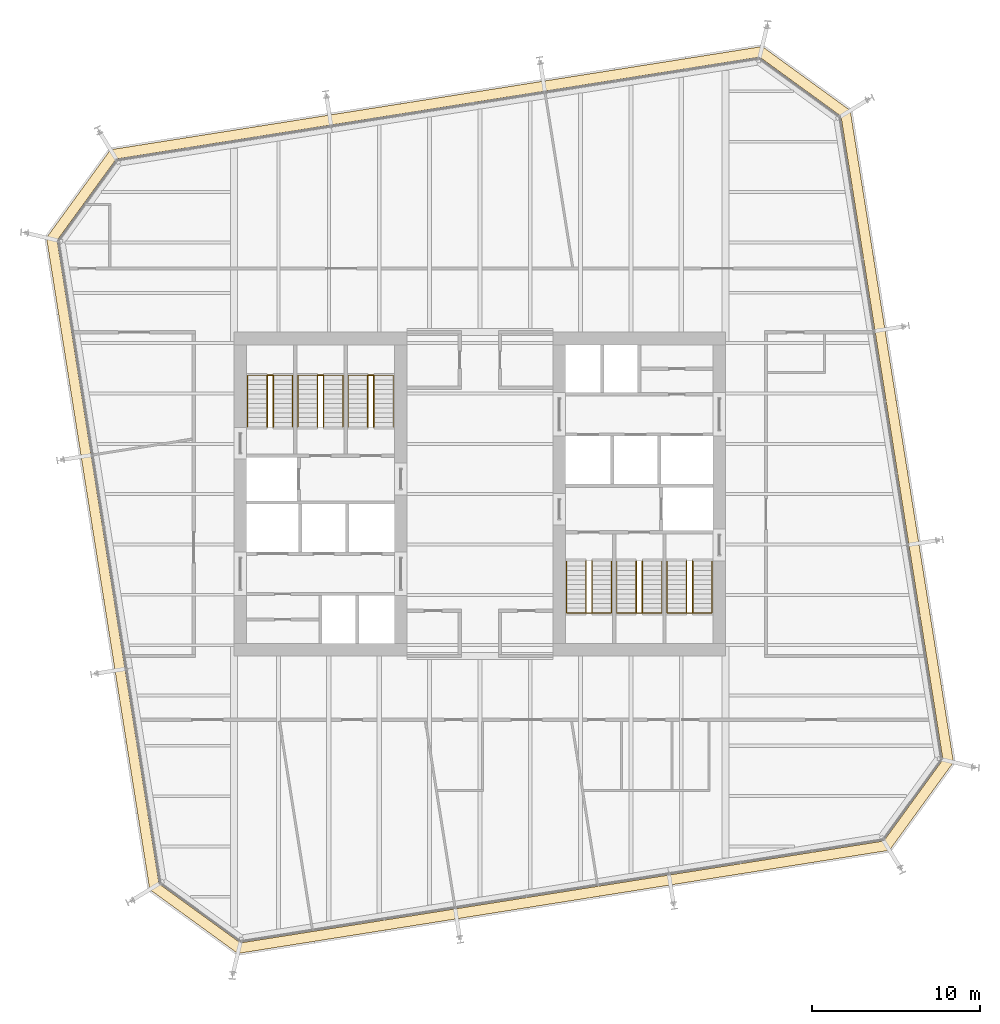
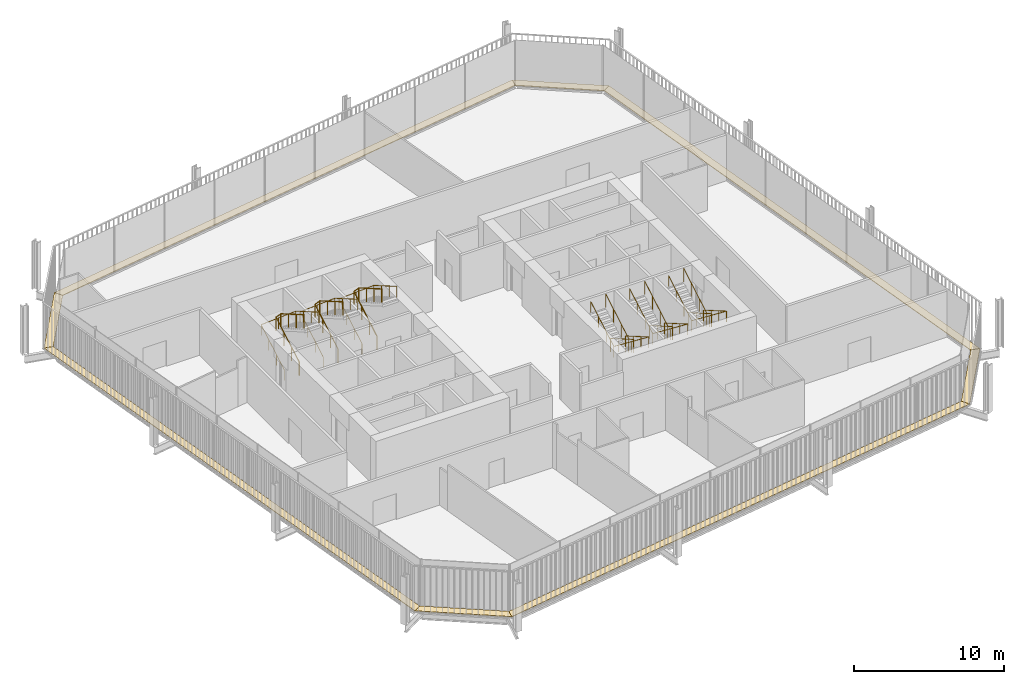
# One storey, part 21 of 21: 12 railings, 8 coverings.
"""IFC4 building model written with IfcOpenShell, lengths in metres."""

from ifc_helpers import new_model, si_unit, direction, frame, origin, origin_2d, place, context, subcontext, project, spatial, polyline, circle, outline, extrude, material, layer, layer_set, type_object, element, save


model = new_model("IFC4")

# Units and contexts
model_context = context("Model", 3, precision=1e-05, world=origin(), true_north=direction((0.0, 1.0)))
body_context = subcontext(model_context, "Body", "Model", "MODEL_VIEW")
ifc_project = project(units=[si_unit("LENGTHUNIT", "METRE"), si_unit("AREAUNIT", "SQUARE_METRE"), si_unit("VOLUMEUNIT", "CUBIC_METRE"), si_unit("PLANEANGLEUNIT", "RADIAN"), si_unit("MASSUNIT", "GRAM", prefix="KILO")], contexts=[model_context])

# Site, building, storey
site_placement = place(None, origin())
site = spatial("IfcSite", under=ifc_project, at=site_placement, CompositionType="ELEMENT")
building_placement = place(site_placement, origin())
building = spatial("IfcBuilding", under=site, at=building_placement, Name="Millrace Tower", CompositionType="ELEMENT")
storey_placement = place(building_placement, frame((0.0, 0.0, 149.0)))
storey = spatial("IfcBuildingStorey", under=building, at=storey_placement, Name="L33", CompositionType="ELEMENT", Elevation=149.0)

# Coverings
ifc_material_1 = material(Name="Steel ASTM A36", Category="steel")
ifc_layer = layer(ifc_material_1, 0.050048828125)
ifc_layer_set = layer_set([ifc_layer], Name="Steel ASTM A36")
covering_type = type_object("IfcCoveringType", Name="CAVITY CATWALK steel grating", PredefinedType="FLOORING", material=ifc_layer_set)
placement = place(storey_placement, frame((0.0, 0.0, 0.10009765625)))
element("IfcCovering", 1, at=placement, inside=storey, type_object=covering_type, Name="Cavity catwalk grating C-F01 L33 1", PredefinedType="FLOORING", context=body_context, shape_type="SweptSolid", body=[
    extrude(outline(polyline([(-19.67578125, -23.562255859375), (-14.425048828125, -27.376953125), (-14.2734375, -26.74560546875), (-19.1220703125, -23.222900390625), (-19.67578125, -23.562255859375)])), origin(), (0.0, 0.0, 1.0), 0.0498046875),
])
element("IfcCovering", 2, at=placement, inside=storey, type_object=covering_type, Name="Cavity catwalk grating C-F02 L33 1", PredefinedType="FLOORING", context=body_context, shape_type="SweptSolid", body=[
    extrude(outline(polyline([(-14.425048828125, -27.376953125), (24.412109375, -21.225830078125), (24.07275390625, -20.672119140625), (-14.2734375, -26.74560546875), (-14.425048828125, -27.376953125)])), origin(), (0.0, 0.0, 1.0), 0.0498046875),
])
element("IfcCovering", 3, at=placement, inside=storey, type_object=covering_type, Name="Cavity catwalk grating C-F03 L33 1", PredefinedType="FLOORING", context=body_context, shape_type="SweptSolid", body=[
    extrude(outline(polyline([(24.412109375, -21.225830078125), (28.22705078125, -15.97509765625), (27.595458984375, -15.823486328125), (24.07275390625, -20.672119140625), (24.412109375, -21.225830078125)])), origin(), (0.0, 0.0, 1.0), 0.0498046875),
])
element("IfcCovering", 4, at=placement, inside=storey, type_object=covering_type, Name="Cavity catwalk grating C-F04 L33 1", PredefinedType="FLOORING", context=body_context, shape_type="SweptSolid", body=[
    extrude(outline(polyline([(28.22705078125, -15.97509765625), (22.075927734375, 22.862060546875), (21.522216796875, 22.522705078125), (27.595458984375, -15.823486328125), (28.22705078125, -15.97509765625)])), origin(), (0.0, 0.0, 1.0), 0.0498046875),
])
element("IfcCovering", 5, at=placement, inside=storey, type_object=covering_type, Name="Cavity catwalk grating C-F05 L33 1", PredefinedType="FLOORING", context=body_context, shape_type="SweptSolid", body=[
    extrude(outline(polyline([(22.075927734375, 22.862060546875), (16.824951171875, 26.677001953125), (16.67333984375, 26.045654296875), (21.522216796875, 22.522705078125), (22.075927734375, 22.862060546875)])), origin(), (0.0, 0.0, 1.0), 0.0498046875),
])
element("IfcCovering", 6, at=placement, inside=storey, type_object=covering_type, Name="Cavity catwalk grating C-F06 L33 1", PredefinedType="FLOORING", context=body_context, shape_type="SweptSolid", body=[
    extrude(outline(polyline([(16.824951171875, 26.677001953125), (-22.01220703125, 20.52587890625), (-21.6728515625, 19.97216796875), (16.67333984375, 26.045654296875), (16.824951171875, 26.677001953125)])), origin(), (0.0, 0.0, 1.0), 0.0498046875),
])
element("IfcCovering", 7, at=placement, inside=storey, type_object=covering_type, Name="Cavity catwalk grating C-F07 L33 1", PredefinedType="FLOORING", context=body_context, shape_type="SweptSolid", body=[
    extrude(outline(polyline([(-22.01220703125, 20.52587890625), (-25.8271484375, 15.275146484375), (-25.195556640625, 15.12353515625), (-21.6728515625, 19.97216796875), (-22.01220703125, 20.52587890625)])), origin(), (0.0, 0.0, 1.0), 0.0498046875),
])
element("IfcCovering", 8, at=placement, inside=storey, type_object=covering_type, Name="Cavity catwalk grating C-F08 L33 1", PredefinedType="FLOORING", context=body_context, shape_type="SweptSolid", body=[
    extrude(outline(polyline([(-25.8271484375, 15.275146484375), (-19.67578125, -23.562255859375), (-19.1220703125, -23.222900390625), (-25.195556640625, 15.12353515625), (-25.8271484375, 15.275146484375)])), origin(), (0.0, 0.0, 1.0), 0.0498046875),
])

# Railings
ifc_material_2 = material(Name="Stainless steel ASTM A240 type 316", Category="steel")
railing_type_1 = type_object("IfcRailingType", Name="Stair guard 1100", PredefinedType="GUARDRAIL", material=ifc_material_2)
for number, where, name in (
    (9, (-12.679931640625, 4.0, 0.16259765625), "Stair guard 1 W L33"),
    (10, (-9.679931640625, 4.0, 0.16259765625), "Stair guard 2 W L33"),
    (11, (-6.679931640625, 4.0, 0.16259765625), "Stair guard 3 W L33"),
):
    element("IfcRailing", number, at=place(storey_placement, frame(where)), inside=storey, type_object=railing_type_1, Name=name, PredefinedType="GUARDRAIL", context=body_context, shape_type="SweptSolid", body=[
        extrude(circle(Radius=0.02392578125, at=origin_2d()), frame((0.0, 0.0, 1.076171875), z_axis=(0.0, 0.864920483161, 0.501908913857), x_axis=(-1.0, 0.0, 0.0)), (0.0, 0.0, 1.0), 3.56103515625),
        extrude(circle(Radius=0.02392578125, at=origin_2d()), frame((0.0, 3.080078125, 2.86328125), z_axis=(0.911295775139, 0.0, 0.411752365158), x_axis=(0.0, 1.0, 0.0)), (0.0, 0.0, 1.0), 0.394775390625),
        extrude(circle(Radius=0.02392578125, at=origin_2d()), frame((0.35986328125, 3.080078125, 3.02587890625), z_axis=(0.0, -0.864920483161, 0.501908913857), x_axis=(1.0, 0.0, 0.0)), (0.0, 0.0, 1.0), 3.56103515625),
        extrude(circle(Radius=0.02099609375, at=origin_2d()), origin(), (0.0, 0.0, 1.0), 1.052001953125),
        extrude(circle(Radius=0.02099609375, at=origin_2d()), frame((0.0, 1.026611328125, 0.595703125)), (0.0, 0.0, 1.0), 1.052001953125),
        extrude(circle(Radius=0.02099609375, at=origin_2d()), frame((0.0, 2.053466796875, 1.191650390625)), (0.0, 0.0, 1.0), 1.052001953125),
        extrude(circle(Radius=0.02099609375, at=origin_2d()), frame((0.0, 3.080078125, 1.787353515625)), (0.0, 0.0, 1.0), 1.052001953125),
        extrude(circle(Radius=0.02099609375, at=origin_2d()), frame((0.35986328125, 3.080078125, 1.949951171875)), (0.0, 0.0, 1.0), 1.052001953125),
        extrude(circle(Radius=0.02099609375, at=origin_2d()), frame((0.35986328125, 2.053466796875, 2.545654296875)), (0.0, 0.0, 1.0), 1.052001953125),
        extrude(circle(Radius=0.02099609375, at=origin_2d()), frame((0.35986328125, 1.026611328125, 3.1416015625)), (0.0, 0.0, 1.0), 1.052001953125),
        extrude(circle(Radius=0.02099609375, at=origin_2d()), frame((0.35986328125, 0.0, 3.7373046875)), (0.0, 0.0, 1.0), 1.052001953125),
    ])
for number, where, name in (
    (12, (12.679931640625, -4.0, 0.16259765625), "Stair guard 1 E L33"),
    (13, (9.679931640625, -4.0, 0.16259765625), "Stair guard 2 E L33"),
    (14, (6.679931640625, -4.0, 0.16259765625), "Stair guard 3 E L33"),
):
    element("IfcRailing", number, at=place(storey_placement, frame(where)), inside=storey, type_object=railing_type_1, Name=name, PredefinedType="GUARDRAIL", context=body_context, shape_type="SweptSolid", body=[
        extrude(circle(Radius=0.02392578125, at=origin_2d()), frame((0.0, 0.0, 1.076171875), z_axis=(0.0, -0.864920483161, 0.501908913857), x_axis=(1.0, 0.0, 0.0)), (0.0, 0.0, 1.0), 3.56103515625),
        extrude(circle(Radius=0.02392578125, at=origin_2d()), frame((0.0, -3.080078125, 2.86328125), z_axis=(-0.911295775139, 0.0, 0.411752365158), x_axis=(0.0, -1.0, 0.0)), (0.0, 0.0, 1.0), 0.394775390625),
        extrude(circle(Radius=0.02392578125, at=origin_2d()), frame((-0.35986328125, -3.080078125, 3.02587890625), z_axis=(0.0, 0.864920483161, 0.501908913857), x_axis=(-1.0, 0.0, 0.0)), (0.0, 0.0, 1.0), 3.56103515625),
        extrude(circle(Radius=0.02099609375, at=origin_2d()), origin(), (0.0, 0.0, 1.0), 1.052001953125),
        extrude(circle(Radius=0.02099609375, at=origin_2d()), frame((0.0, -1.026611328125, 0.595703125)), (0.0, 0.0, 1.0), 1.052001953125),
        extrude(circle(Radius=0.02099609375, at=origin_2d()), frame((0.0, -2.053466796875, 1.191650390625)), (0.0, 0.0, 1.0), 1.052001953125),
        extrude(circle(Radius=0.02099609375, at=origin_2d()), frame((0.0, -3.080078125, 1.787353515625)), (0.0, 0.0, 1.0), 1.052001953125),
        extrude(circle(Radius=0.02099609375, at=origin_2d()), frame((-0.35986328125, -3.080078125, 1.949951171875)), (0.0, 0.0, 1.0), 1.052001953125),
        extrude(circle(Radius=0.02099609375, at=origin_2d()), frame((-0.35986328125, -2.053466796875, 2.545654296875)), (0.0, 0.0, 1.0), 1.052001953125),
        extrude(circle(Radius=0.02099609375, at=origin_2d()), frame((-0.35986328125, -1.026611328125, 3.1416015625)), (0.0, 0.0, 1.0), 1.052001953125),
        extrude(circle(Radius=0.02099609375, at=origin_2d()), frame((-0.35986328125, 0.0, 3.7373046875)), (0.0, 0.0, 1.0), 1.052001953125),
    ])
ifc_material_3 = material(Name="Stainless steel ASTM A240 type 316", Category="steel")
railing_type_2 = type_object("IfcRailingType", Name="Stair handrail 900", PredefinedType="HANDRAIL", material=ifc_material_3)
railing_1_placement = place(storey_placement, frame((-13.840087890625, 4.0, 0.16259765625)))
element("IfcRailing", 15, at=railing_1_placement, inside=storey, type_object=railing_type_2, Name="Stair handrail 1 W L33", PredefinedType="HANDRAIL", context=body_context, shape_type="SweptSolid", body=[
    extrude(circle(Radius=0.02392578125, at=origin_2d()), frame((0.0, 0.0, 0.8759765625), z_axis=(0.0, 0.864920483161, 0.501908913857), x_axis=(-1.0, 0.0, 0.0)), (0.0, 0.0, 1.0), 3.56103515625),
    extrude(circle(Radius=0.02392578125, at=origin_2d()), frame((0.0, 3.080078125, 2.6630859375), z_axis=(0.998164834547, 0.0, 0.060555454528), x_axis=(0.0, 1.0, 0.0)), (0.0, 0.0, 1.0), 2.68505859375),
    extrude(circle(Radius=0.02392578125, at=origin_2d()), frame((2.68017578125, 3.080078125, 2.82568359375), z_axis=(0.0, -0.864920483161, 0.501908913857), x_axis=(1.0, 0.0, 0.0)), (0.0, 0.0, 1.0), 3.56103515625),
    extrude(circle(Radius=0.02099609375, at=origin_2d()), origin(), (0.0, 0.0, 1.0), 0.851806640625),
    extrude(circle(Radius=0.02099609375, at=origin_2d()), frame((0.0, 1.026611328125, 0.595703125)), (0.0, 0.0, 1.0), 0.851806640625),
    extrude(circle(Radius=0.02099609375, at=origin_2d()), frame((0.0, 2.053466796875, 1.191650390625)), (0.0, 0.0, 1.0), 0.851806640625),
    extrude(circle(Radius=0.02099609375, at=origin_2d()), frame((0.0, 3.080078125, 1.787353515625)), (0.0, 0.0, 1.0), 0.851806640625),
    extrude(circle(Radius=0.02099609375, at=origin_2d()), frame((1.340087890625, 3.080078125, 1.86865234375)), (0.0, 0.0, 1.0), 0.851806640625),
    extrude(circle(Radius=0.02099609375, at=origin_2d()), frame((2.68017578125, 3.080078125, 1.949951171875)), (0.0, 0.0, 1.0), 0.851806640625),
    extrude(circle(Radius=0.02099609375, at=origin_2d()), frame((2.68017578125, 2.053466796875, 2.545654296875)), (0.0, 0.0, 1.0), 0.851806640625),
    extrude(circle(Radius=0.02099609375, at=origin_2d()), frame((2.68017578125, 1.026611328125, 3.1416015625)), (0.0, 0.0, 1.0), 0.851806640625),
    extrude(circle(Radius=0.02099609375, at=origin_2d()), frame((2.68017578125, 0.0, 3.7373046875)), (0.0, 0.0, 1.0), 0.851806640625),
])
railing_2_placement = place(storey_placement, frame((-10.840087890625, 4.0, 0.16259765625)))
element("IfcRailing", 16, at=railing_2_placement, inside=storey, type_object=railing_type_2, Name="Stair handrail 2 W L33", PredefinedType="HANDRAIL", context=body_context, shape_type="SweptSolid", body=[
    extrude(circle(Radius=0.02392578125, at=origin_2d()), frame((0.0, 0.0, 0.8759765625), z_axis=(0.0, 0.864920483161, 0.501908913857), x_axis=(-1.0, 0.0, 0.0)), (0.0, 0.0, 1.0), 3.56103515625),
    extrude(circle(Radius=0.02392578125, at=origin_2d()), frame((0.0, 3.080078125, 2.6630859375), z_axis=(0.998164834547, 0.0, 0.060555454528), x_axis=(0.0, 1.0, 0.0)), (0.0, 0.0, 1.0), 2.68505859375),
    extrude(circle(Radius=0.02392578125, at=origin_2d()), frame((2.68017578125, 3.080078125, 2.82568359375), z_axis=(0.0, -0.864920483161, 0.501908913857), x_axis=(1.0, 0.0, 0.0)), (0.0, 0.0, 1.0), 3.56103515625),
    extrude(circle(Radius=0.02099609375, at=origin_2d()), origin(), (0.0, 0.0, 1.0), 0.851806640625),
    extrude(circle(Radius=0.02099609375, at=origin_2d()), frame((0.0, 1.026611328125, 0.595703125)), (0.0, 0.0, 1.0), 0.851806640625),
    extrude(circle(Radius=0.02099609375, at=origin_2d()), frame((0.0, 2.053466796875, 1.191650390625)), (0.0, 0.0, 1.0), 0.851806640625),
    extrude(circle(Radius=0.02099609375, at=origin_2d()), frame((0.0, 3.080078125, 1.787353515625)), (0.0, 0.0, 1.0), 0.851806640625),
    extrude(circle(Radius=0.02099609375, at=origin_2d()), frame((1.340087890625, 3.080078125, 1.86865234375)), (0.0, 0.0, 1.0), 0.851806640625),
    extrude(circle(Radius=0.02099609375, at=origin_2d()), frame((2.68017578125, 3.080078125, 1.949951171875)), (0.0, 0.0, 1.0), 0.851806640625),
    extrude(circle(Radius=0.02099609375, at=origin_2d()), frame((2.68017578125, 2.053466796875, 2.545654296875)), (0.0, 0.0, 1.0), 0.851806640625),
    extrude(circle(Radius=0.02099609375, at=origin_2d()), frame((2.68017578125, 1.026611328125, 3.1416015625)), (0.0, 0.0, 1.0), 0.851806640625),
    extrude(circle(Radius=0.02099609375, at=origin_2d()), frame((2.68017578125, 0.0, 3.7373046875)), (0.0, 0.0, 1.0), 0.851806640625),
])
railing_3_placement = place(storey_placement, frame((-7.840087890625, 4.0, 0.16259765625)))
element("IfcRailing", 17, at=railing_3_placement, inside=storey, type_object=railing_type_2, Name="Stair handrail 3 W L33", PredefinedType="HANDRAIL", context=body_context, shape_type="SweptSolid", body=[
    extrude(circle(Radius=0.02392578125, at=origin_2d()), frame((0.0, 0.0, 0.8759765625), z_axis=(0.0, 0.864920483161, 0.501908913857), x_axis=(-1.0, 0.0, 0.0)), (0.0, 0.0, 1.0), 3.56103515625),
    extrude(circle(Radius=0.02392578125, at=origin_2d()), frame((0.0, 3.080078125, 2.6630859375), z_axis=(0.998164834547, 0.0, 0.060555454528), x_axis=(0.0, 1.0, 0.0)), (0.0, 0.0, 1.0), 2.68505859375),
    extrude(circle(Radius=0.02392578125, at=origin_2d()), frame((2.68017578125, 3.080078125, 2.82568359375), z_axis=(0.0, -0.864920483161, 0.501908913857), x_axis=(1.0, 0.0, 0.0)), (0.0, 0.0, 1.0), 3.56103515625),
    extrude(circle(Radius=0.02099609375, at=origin_2d()), origin(), (0.0, 0.0, 1.0), 0.851806640625),
    extrude(circle(Radius=0.02099609375, at=origin_2d()), frame((0.0, 1.026611328125, 0.595703125)), (0.0, 0.0, 1.0), 0.851806640625),
    extrude(circle(Radius=0.02099609375, at=origin_2d()), frame((0.0, 2.053466796875, 1.191650390625)), (0.0, 0.0, 1.0), 0.851806640625),
    extrude(circle(Radius=0.02099609375, at=origin_2d()), frame((0.0, 3.080078125, 1.787353515625)), (0.0, 0.0, 1.0), 0.851806640625),
    extrude(circle(Radius=0.02099609375, at=origin_2d()), frame((1.340087890625, 3.080078125, 1.86865234375)), (0.0, 0.0, 1.0), 0.851806640625),
    extrude(circle(Radius=0.02099609375, at=origin_2d()), frame((2.68017578125, 3.080078125, 1.949951171875)), (0.0, 0.0, 1.0), 0.851806640625),
    extrude(circle(Radius=0.02099609375, at=origin_2d()), frame((2.68017578125, 2.053466796875, 2.545654296875)), (0.0, 0.0, 1.0), 0.851806640625),
    extrude(circle(Radius=0.02099609375, at=origin_2d()), frame((2.68017578125, 1.026611328125, 3.1416015625)), (0.0, 0.0, 1.0), 0.851806640625),
    extrude(circle(Radius=0.02099609375, at=origin_2d()), frame((2.68017578125, 0.0, 3.7373046875)), (0.0, 0.0, 1.0), 0.851806640625),
])
railing_4_placement = place(storey_placement, frame((13.840087890625, -4.0, 0.16259765625)))
element("IfcRailing", 18, at=railing_4_placement, inside=storey, type_object=railing_type_2, Name="Stair handrail 1 E L33", PredefinedType="HANDRAIL", context=body_context, shape_type="SweptSolid", body=[
    extrude(circle(Radius=0.02392578125, at=origin_2d()), frame((0.0, 0.0, 0.8759765625), z_axis=(0.0, -0.864920483161, 0.501908913857), x_axis=(1.0, 0.0, 0.0)), (0.0, 0.0, 1.0), 3.56103515625),
    extrude(circle(Radius=0.02392578125, at=origin_2d()), frame((0.0, -3.080078125, 2.6630859375), z_axis=(-0.998164834547, 0.0, 0.060555454528), x_axis=(0.0, -1.0, 0.0)), (0.0, 0.0, 1.0), 2.68505859375),
    extrude(circle(Radius=0.02392578125, at=origin_2d()), frame((-2.68017578125, -3.080078125, 2.82568359375), z_axis=(0.0, 0.864920483161, 0.501908913857), x_axis=(-1.0, 0.0, 0.0)), (0.0, 0.0, 1.0), 3.56103515625),
    extrude(circle(Radius=0.02099609375, at=origin_2d()), origin(), (0.0, 0.0, 1.0), 0.851806640625),
    extrude(circle(Radius=0.02099609375, at=origin_2d()), frame((0.0, -1.026611328125, 0.595703125)), (0.0, 0.0, 1.0), 0.851806640625),
    extrude(circle(Radius=0.02099609375, at=origin_2d()), frame((0.0, -2.053466796875, 1.191650390625)), (0.0, 0.0, 1.0), 0.851806640625),
    extrude(circle(Radius=0.02099609375, at=origin_2d()), frame((0.0, -3.080078125, 1.787353515625)), (0.0, 0.0, 1.0), 0.851806640625),
    extrude(circle(Radius=0.02099609375, at=origin_2d()), frame((-1.340087890625, -3.080078125, 1.86865234375)), (0.0, 0.0, 1.0), 0.851806640625),
    extrude(circle(Radius=0.02099609375, at=origin_2d()), frame((-2.68017578125, -3.080078125, 1.949951171875)), (0.0, 0.0, 1.0), 0.851806640625),
    extrude(circle(Radius=0.02099609375, at=origin_2d()), frame((-2.68017578125, -2.053466796875, 2.545654296875)), (0.0, 0.0, 1.0), 0.851806640625),
    extrude(circle(Radius=0.02099609375, at=origin_2d()), frame((-2.68017578125, -1.026611328125, 3.1416015625)), (0.0, 0.0, 1.0), 0.851806640625),
    extrude(circle(Radius=0.02099609375, at=origin_2d()), frame((-2.68017578125, 0.0, 3.7373046875)), (0.0, 0.0, 1.0), 0.851806640625),
])
railing_5_placement = place(storey_placement, frame((10.840087890625, -4.0, 0.16259765625)))
element("IfcRailing", 19, at=railing_5_placement, inside=storey, type_object=railing_type_2, Name="Stair handrail 2 E L33", PredefinedType="HANDRAIL", context=body_context, shape_type="SweptSolid", body=[
    extrude(circle(Radius=0.02392578125, at=origin_2d()), frame((0.0, 0.0, 0.8759765625), z_axis=(0.0, -0.864920483161, 0.501908913857), x_axis=(1.0, 0.0, 0.0)), (0.0, 0.0, 1.0), 3.56103515625),
    extrude(circle(Radius=0.02392578125, at=origin_2d()), frame((0.0, -3.080078125, 2.6630859375), z_axis=(-0.998164834547, 0.0, 0.060555454528), x_axis=(0.0, -1.0, 0.0)), (0.0, 0.0, 1.0), 2.68505859375),
    extrude(circle(Radius=0.02392578125, at=origin_2d()), frame((-2.68017578125, -3.080078125, 2.82568359375), z_axis=(0.0, 0.864920483161, 0.501908913857), x_axis=(-1.0, 0.0, 0.0)), (0.0, 0.0, 1.0), 3.56103515625),
    extrude(circle(Radius=0.02099609375, at=origin_2d()), origin(), (0.0, 0.0, 1.0), 0.851806640625),
    extrude(circle(Radius=0.02099609375, at=origin_2d()), frame((0.0, -1.026611328125, 0.595703125)), (0.0, 0.0, 1.0), 0.851806640625),
    extrude(circle(Radius=0.02099609375, at=origin_2d()), frame((0.0, -2.053466796875, 1.191650390625)), (0.0, 0.0, 1.0), 0.851806640625),
    extrude(circle(Radius=0.02099609375, at=origin_2d()), frame((0.0, -3.080078125, 1.787353515625)), (0.0, 0.0, 1.0), 0.851806640625),
    extrude(circle(Radius=0.02099609375, at=origin_2d()), frame((-1.340087890625, -3.080078125, 1.86865234375)), (0.0, 0.0, 1.0), 0.851806640625),
    extrude(circle(Radius=0.02099609375, at=origin_2d()), frame((-2.68017578125, -3.080078125, 1.949951171875)), (0.0, 0.0, 1.0), 0.851806640625),
    extrude(circle(Radius=0.02099609375, at=origin_2d()), frame((-2.68017578125, -2.053466796875, 2.545654296875)), (0.0, 0.0, 1.0), 0.851806640625),
    extrude(circle(Radius=0.02099609375, at=origin_2d()), frame((-2.68017578125, -1.026611328125, 3.1416015625)), (0.0, 0.0, 1.0), 0.851806640625),
    extrude(circle(Radius=0.02099609375, at=origin_2d()), frame((-2.68017578125, 0.0, 3.7373046875)), (0.0, 0.0, 1.0), 0.851806640625),
])
railing_6_placement = place(storey_placement, frame((7.840087890625, -4.0, 0.16259765625)))
element("IfcRailing", 20, at=railing_6_placement, inside=storey, type_object=railing_type_2, Name="Stair handrail 3 E L33", PredefinedType="HANDRAIL", context=body_context, shape_type="SweptSolid", body=[
    extrude(circle(Radius=0.02392578125, at=origin_2d()), frame((0.0, 0.0, 0.8759765625), z_axis=(0.0, -0.864920483161, 0.501908913857), x_axis=(1.0, 0.0, 0.0)), (0.0, 0.0, 1.0), 3.56103515625),
    extrude(circle(Radius=0.02392578125, at=origin_2d()), frame((0.0, -3.080078125, 2.6630859375), z_axis=(-0.998164834547, 0.0, 0.060555454528), x_axis=(0.0, -1.0, 0.0)), (0.0, 0.0, 1.0), 2.68505859375),
    extrude(circle(Radius=0.02392578125, at=origin_2d()), frame((-2.68017578125, -3.080078125, 2.82568359375), z_axis=(0.0, 0.864920483161, 0.501908913857), x_axis=(-1.0, 0.0, 0.0)), (0.0, 0.0, 1.0), 3.56103515625),
    extrude(circle(Radius=0.02099609375, at=origin_2d()), origin(), (0.0, 0.0, 1.0), 0.851806640625),
    extrude(circle(Radius=0.02099609375, at=origin_2d()), frame((0.0, -1.026611328125, 0.595703125)), (0.0, 0.0, 1.0), 0.851806640625),
    extrude(circle(Radius=0.02099609375, at=origin_2d()), frame((0.0, -2.053466796875, 1.191650390625)), (0.0, 0.0, 1.0), 0.851806640625),
    extrude(circle(Radius=0.02099609375, at=origin_2d()), frame((0.0, -3.080078125, 1.787353515625)), (0.0, 0.0, 1.0), 0.851806640625),
    extrude(circle(Radius=0.02099609375, at=origin_2d()), frame((-1.340087890625, -3.080078125, 1.86865234375)), (0.0, 0.0, 1.0), 0.851806640625),
    extrude(circle(Radius=0.02099609375, at=origin_2d()), frame((-2.68017578125, -3.080078125, 1.949951171875)), (0.0, 0.0, 1.0), 0.851806640625),
    extrude(circle(Radius=0.02099609375, at=origin_2d()), frame((-2.68017578125, -2.053466796875, 2.545654296875)), (0.0, 0.0, 1.0), 0.851806640625),
    extrude(circle(Radius=0.02099609375, at=origin_2d()), frame((-2.68017578125, -1.026611328125, 3.1416015625)), (0.0, 0.0, 1.0), 0.851806640625),
    extrude(circle(Radius=0.02099609375, at=origin_2d()), frame((-2.68017578125, 0.0, 3.7373046875)), (0.0, 0.0, 1.0), 0.851806640625),
])

save(model, "model.ifc")
